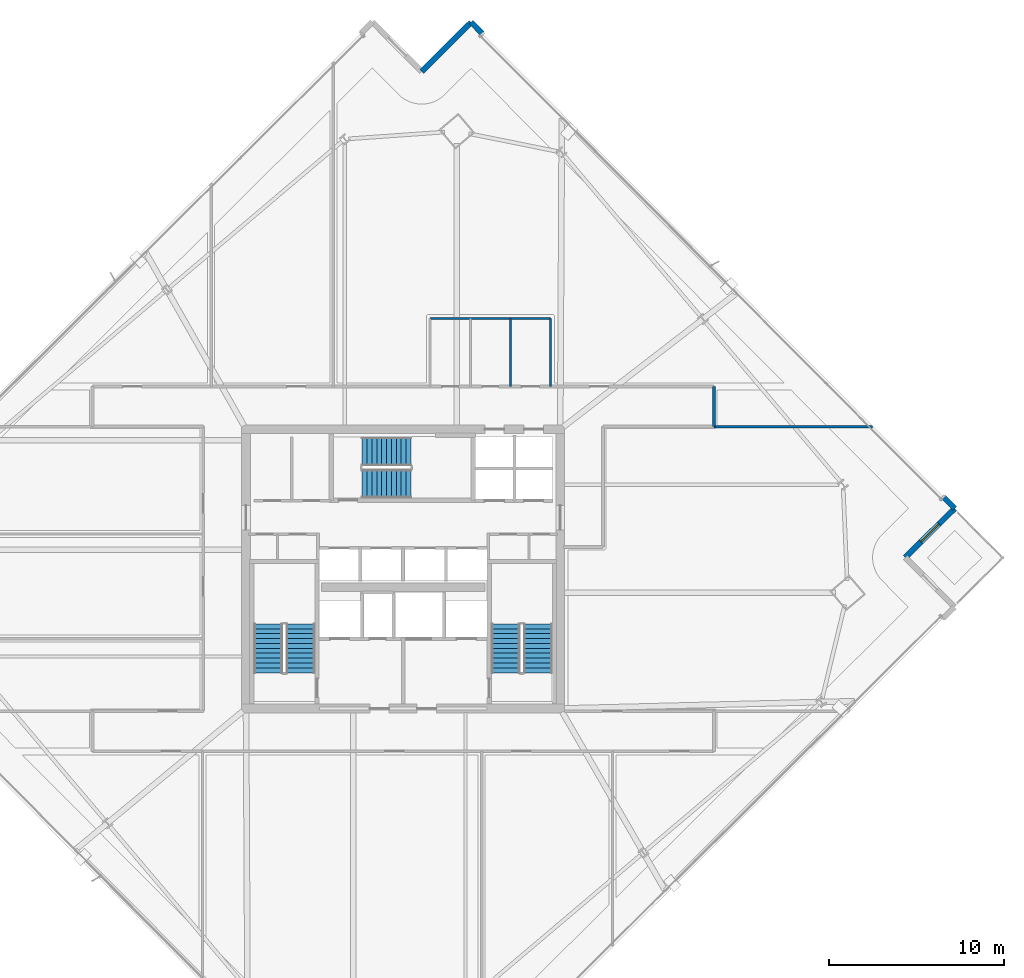
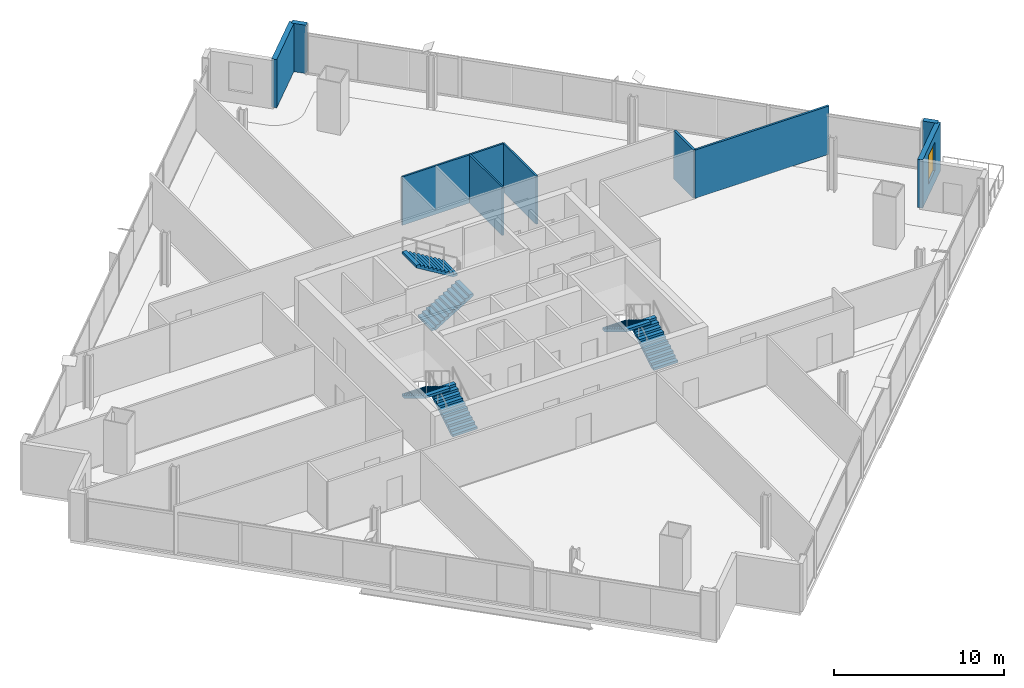
# One storey, part 27 of 32: 9 walls, 6 stair flights, 1 window, 1 opening, 3 elements without a shape of their own.
"""IFC4 building model written with IfcOpenShell, lengths in metres."""

from ifc_helpers import new_model, si_unit, direction, frame, frame_2d, origin, place, context, subcontext, project, spatial, polyline, rectangle, outline, extrude, material, layer, layer_set, type_object, element, fill, aggregate, save


model = new_model("IFC4")

# Units and contexts
model_context = context("Model", 3, precision=1e-05, world=origin(), true_north=direction((0.0, 1.0)))
body_context = subcontext(model_context, "Body", "Model", "MODEL_VIEW")
ifc_project = project(units=[si_unit("LENGTHUNIT", "METRE"), si_unit("AREAUNIT", "SQUARE_METRE"), si_unit("VOLUMEUNIT", "CUBIC_METRE"), si_unit("PLANEANGLEUNIT", "RADIAN"), si_unit("MASSUNIT", "GRAM", prefix="KILO")], contexts=[model_context])

# Site, building, storey
site_placement = place(None, origin())
site = spatial("IfcSite", under=ifc_project, at=site_placement, CompositionType="ELEMENT")
building_placement = place(site_placement, origin())
building = spatial("IfcBuilding", under=site, at=building_placement, Name="Haldenkirk Collegiate Tower", CompositionType="ELEMENT")
storey_placement = place(building_placement, frame((0.0, 0.0, 178.199951171875)))
storey = spatial("IfcBuildingStorey", under=building, at=storey_placement, Name="L44", CompositionType="ELEMENT", Elevation=178.199951171875)

# Wall, opening, window
ifc_material_1 = material(Name="Precast concrete f'c 40 MPa", Category="concrete")
ifc_layer_1 = layer(ifc_material_1, 0.320068359375)
ifc_layer_set_1 = layer_set([ifc_layer_1], Name="Precast concrete f'c 40 MPa")
wall_type_1 = type_object("IfcWallType", Name="WL-EXT-TWR-320", PredefinedType="STANDARD", material=ifc_layer_set_1)
wall_1_placement = place(storey_placement, frame((67.59912109375, 29.470458984375, 0.0), z_axis=(0.0, 0.0, 1.0), x_axis=(-0.708935496427, -0.705273324255, 0.0)))
wall_1 = element("IfcWall", 1, at=wall_1_placement, inside=storey, type_object=wall_type_1, Name="L44 bronze precast notch wall 03", PredefinedType="STANDARD", context=body_context, shape_type="SweptSolid", body=[
    extrude(rectangle(XDim=4.0, YDim=0.320068359375, at=frame_2d((2.0, 0.0))), origin(), (0.0, 0.0, 1.0), 3.4599609375),
])
opening_placement = place(wall_1_placement, frame((1.27490234375, 0.0, 0.85009765625)))
opening = element("IfcOpeningElement", 2, at=opening_placement, cuts=wall_1, Name="Opening W-05", PredefinedType="OPENING", context=body_context, shape_type="SweptSolid", body=[
    extrude(rectangle(XDim=1.449951171875, YDim=2.050048828125, at=frame_2d((0.72509765625, 1.02490234375))), frame((0.0, 0.169921875, 0.0), z_axis=(0.0, -1.0, 0.0), x_axis=(1.0, 0.0, 0.0)), (0.0, 0.0, 1.0), 0.340087890625),
])
ifc_material_2 = material(Name="Low-E argon triple insulating glass", Category="glass")
ifc_layer_2 = layer(ifc_material_2, 0.090087890625)
ifc_layer_set_2 = layer_set([ifc_layer_2], Name="Low-E argon triple insulating glass")
window_type = type_object("IfcWindowType", Name="WN-Z3-1450X2050", PartitioningType="SINGLE_PANEL", PredefinedType="WINDOW", material=ifc_layer_set_2)
window_placement = place(opening_placement, origin())
window = element("IfcWindow", 3, at=window_placement, inside=storey, type_object=window_type, Name="L44 precast-frame academic window 2", OverallHeight=2.050048828125, OverallWidth=1.449951171875, PartitioningType="SINGLE_PANEL", PredefinedType="WINDOW", context=body_context, shape_type="SweptSolid", body=[
    extrude(rectangle(XDim=1.449951171875, YDim=2.050048828125, at=frame_2d((0.72509765625, 1.02490234375))), frame((0.0, 0.030029296875, 0.0), z_axis=(0.0, -1.0, 0.0), x_axis=(1.0, 0.0, 0.0)), (0.0, 0.0, 1.0), 0.06005859375),
])
fill(opening, window)

# Walls
wall_2_placement = place(storey_placement, frame((39.900390625, 57.314697265625, 0.0), z_axis=(0.0, 0.0, 1.0), x_axis=(0.705205601739, -0.709002862671, 0.0)))
element("IfcWall", 4, at=wall_2_placement, inside=storey, type_object=wall_type_1, Name="L44 precast corner pier EL", PredefinedType="STANDARD", context=body_context, shape_type="SweptSolid", body=[
    extrude(rectangle(XDim=0.900146484375, YDim=0.320068359375, at=frame_2d((0.4501953125, 0.0))), origin(), (0.0, 0.0, 1.0), 3.4599609375),
])
wall_3_placement = place(storey_placement, frame((66.964599609375, 30.108642578125, 0.0), z_axis=(0.0, 0.0, 1.0), x_axis=(0.705069217874, -0.709138490005, 0.0)))
element("IfcWall", 5, at=wall_3_placement, inside=storey, type_object=wall_type_1, Name="L44 precast corner pier ER", PredefinedType="STANDARD", context=body_context, shape_type="SweptSolid", body=[
    extrude(rectangle(XDim=0.89990234375, YDim=0.320068359375, at=frame_2d((0.449951171875, 0.0))), origin(), (0.0, 0.0, 1.0), 3.4599609375),
])
wall_4_placement = place(storey_placement, frame((37.064453125, 54.49365234375, 0.0), z_axis=(0.0, 0.0, 1.0), x_axis=(0.708965854503, 0.70524280723, 0.0)))
element("IfcWall", 6, at=wall_4_placement, inside=storey, type_object=wall_type_1, Name="L44 bronze precast notch wall 05", PredefinedType="STANDARD", context=body_context, shape_type="SweptSolid", body=[
    extrude(rectangle(XDim=4.0, YDim=0.320068359375, at=frame_2d((2.0, 0.0))), origin(), (0.0, 0.0, 1.0), 3.4599609375),
])
ifc_material_3 = material(Name="Acoustic fire-rated gypsum partition", Category="concrete")
ifc_layer_3 = layer(ifc_material_3, 0.159912109375)
ifc_layer_set_3 = layer_set([ifc_layer_3], Name="Acoustic fire-rated gypsum partition")
wall_type_2 = type_object("IfcWallType", Name="WL-INT-CORR-160", PredefinedType="PARTITIONING", material=ifc_layer_set_3)
wall_5_placement = place(storey_placement, frame((53.800048828125, 34.14990234375, 0.0), z_axis=(0.0, 0.0, 1.0), x_axis=(0.0, 1.0, 0.0)))
element("IfcWall", 7, at=wall_5_placement, inside=storey, type_object=wall_type_2, Name="L44 interior partition IW-L44-CNR", PredefinedType="PARTITIONING", context=body_context, shape_type="SweptSolid", body=[
    extrude(rectangle(XDim=2.300048828125, YDim=0.159912109375, at=frame_2d((1.14990234375, 0.0))), origin(), (0.0, 0.0, 1.0), 3.4599609375),
])
ifc_layer_4 = layer(ifc_material_3, 0.139892578125)
ifc_layer_set_4 = layer_set([ifc_layer_4], Name="Acoustic fire-rated gypsum partition")
wall_type_3 = type_object("IfcWallType", Name="WL-INT-DIV-140", PredefinedType="PARTITIONING", material=ifc_layer_set_4)
wall_6_placement = place(storey_placement, frame((53.800048828125, 34.14990234375, 0.0), z_axis=(0.0, 0.0, 1.0), x_axis=(1.0, 0.0, 0.0)))
element("IfcWall", 8, at=wall_6_placement, inside=storey, type_object=wall_type_3, Name="L44 interior partition IW-L44-BEN", PredefinedType="PARTITIONING", context=body_context, shape_type="SweptSolid", body=[
    extrude(rectangle(XDim=9.087646484375, YDim=0.139892578125, at=frame_2d((4.5439453125, 0.0))), origin(), (0.0, 0.0, 1.0), 3.4599609375),
])
ifc_layer_5 = layer(ifc_material_3, 0.1201171875)
ifc_layer_set_5 = layer_set([ifc_layer_5], Name="Acoustic fire-rated gypsum partition")
wall_type_4 = type_object("IfcWallType", Name="WL-INT-WET-120", PredefinedType="PARTITIONING", material=ifc_layer_set_5)
for number, where, z_axis, x_axis, name in (
    (9, (42.14990234375, 36.449951171875, 0.0), (0.0, 0.0, 1.0), (0.0, 1.0, 0.0), "L44 interior partition IW-L44-WC2"),
    (10, (44.449951171875, 36.449951171875, 0.0), (0.0, 0.0, 1.0), (0.0, 1.0, 0.0), "L44 interior partition IW-L44-WCE"),
):
    element("IfcWall", number, at=place(storey_placement, frame(where, z_axis=z_axis, x_axis=x_axis)), inside=storey, type_object=wall_type_4, Name=name, PredefinedType="PARTITIONING", context=body_context, shape_type="SweptSolid", body=[
        extrude(rectangle(XDim=3.900146484375, YDim=0.1201171875, at=frame_2d((1.9501953125, 0.0))), origin(), (0.0, 0.0, 1.0), 3.4599609375),
    ])
wall_7_placement = place(storey_placement, frame((37.550048828125, 40.35009765625, 0.0), z_axis=(0.0, 0.0, 1.0), x_axis=(1.0, 0.0, 0.0)))
element("IfcWall", 11, at=wall_7_placement, inside=storey, type_object=wall_type_4, Name="L44 interior partition IW-L44-WCB", PredefinedType="PARTITIONING", context=body_context, shape_type="SweptSolid", body=[
    extrude(rectangle(XDim=6.89990234375, YDim=0.1201171875, at=frame_2d((3.449951171875, 0.0))), origin(), (0.0, 0.0, 1.0), 3.4599609375),
])

# Stair, stair flights
ifc_material_4 = material(Name="Concrete f'c 40 MPa", Category="concrete")
stair_type = type_object("IfcStairType", Name="STR-DOGLEG-1650", PredefinedType="HALF_TURN_STAIR", material=ifc_material_4)
stair_1_placement = place(storey_placement, origin())
stair_1 = element("IfcStair", 12, at=stair_1_placement, inside=storey, type_object=stair_type, Name="L44 Core Exit Stair ST-1", PredefinedType="HALF_TURN_STAIR")
stair_flight_type = type_object("IfcStairFlightType", Name="STF-FLIGHT-1650", PredefinedType="STRAIGHT", material=ifc_material_4)
stair_flight_1_placement = place(storey_placement, frame((30.125, 20.050048828125, 0.0), z_axis=(0.0, 0.0, 1.0), x_axis=(0.0, 1.0, 0.0)))
stair_flight_1 = element("IfcStairFlight", 13, at=stair_flight_1_placement, type_object=stair_flight_type, Name="ST-1 flight 1", NumberOfRisers=11, NumberOfTreads=10, PredefinedType="STRAIGHT", RiserHeight=0.170454545, TreadLength=0.28, context=body_context, shape_type="SweptSolid", body=[
    extrude(outline(polyline([(0.0, 0.0), (0.0, 0.17041015625), (0.280029296875, 0.17041015625), (0.280029296875, 0.3408203125), (0.56005859375, 0.3408203125), (0.56005859375, 0.511474609375), (0.840087890625, 0.511474609375), (0.840087890625, 0.681884765625), (1.1201171875, 0.681884765625), (1.1201171875, 0.852294921875), (1.39990234375, 0.852294921875), (1.39990234375, 1.022705078125), (1.679931640625, 1.022705078125), (1.679931640625, 1.193115234375), (1.9599609375, 1.193115234375), (1.9599609375, 1.363525390625), (2.239990234375, 1.363525390625), (2.239990234375, 1.5341796875), (2.52001953125, 1.5341796875), (2.52001953125, 1.70458984375), (2.800048828125, 1.70458984375), (2.800048828125, 1.875), (2.800048828125, 1.529052734375), (0.288330078125, 0.0), (0.0, 0.0)])), frame((0.0, 0.824951171875, 0.0), z_axis=(0.0, -1.0, 0.0), x_axis=(1.0, 0.0, 0.0)), (0.0, 0.0, 1.0), 1.64990234375),
])
stair_flight_2_placement = place(storey_placement, frame((28.27490234375, 22.85009765625, 1.875), z_axis=(0.0, 0.0, 1.0), x_axis=(0.0, -1.0, 0.0)))
stair_flight_2 = element("IfcStairFlight", 14, at=stair_flight_2_placement, type_object=stair_flight_type, Name="ST-1 flight 2", NumberOfRisers=11, NumberOfTreads=10, PredefinedType="STRAIGHT", RiserHeight=0.170454545, TreadLength=0.28, context=body_context, shape_type="SweptSolid", body=[
    extrude(outline(polyline([(0.0, 0.0), (0.0, 0.17041015625), (0.280029296875, 0.17041015625), (0.280029296875, 0.3408203125), (0.56005859375, 0.3408203125), (0.56005859375, 0.511474609375), (0.840087890625, 0.511474609375), (0.840087890625, 0.681884765625), (1.1201171875, 0.681884765625), (1.1201171875, 0.852294921875), (1.39990234375, 0.852294921875), (1.39990234375, 1.022705078125), (1.679931640625, 1.022705078125), (1.679931640625, 1.193115234375), (1.9599609375, 1.193115234375), (1.9599609375, 1.363525390625), (2.239990234375, 1.363525390625), (2.239990234375, 1.5341796875), (2.52001953125, 1.5341796875), (2.52001953125, 1.70458984375), (2.800048828125, 1.70458984375), (2.800048828125, 1.875), (2.800048828125, 1.529052734375), (0.288330078125, 0.0), (0.0, 0.0)])), frame((0.0, 0.824951171875, 0.0), z_axis=(0.0, -1.0, 0.0), x_axis=(1.0, 0.0, 0.0)), (0.0, 0.0, 1.0), 1.64990234375),
])
aggregate(stair_1, [stair_flight_1, stair_flight_2])

stair_2_placement = place(storey_placement, origin())
stair_2 = element("IfcStair", 15, at=stair_2_placement, inside=storey, type_object=stair_type, Name="L44 Core Exit Stair ST-2", PredefinedType="HALF_TURN_STAIR")
stair_flight_3_placement = place(storey_placement, frame((43.72509765625, 20.050048828125, 0.0), z_axis=(0.0, 0.0, 1.0), x_axis=(0.0, 1.0, 0.0)))
stair_flight_3 = element("IfcStairFlight", 16, at=stair_flight_3_placement, type_object=stair_flight_type, Name="ST-2 flight 1", NumberOfRisers=11, NumberOfTreads=10, PredefinedType="STRAIGHT", RiserHeight=0.170454545, TreadLength=0.28, context=body_context, shape_type="SweptSolid", body=[
    extrude(outline(polyline([(0.0, 0.0), (0.0, 0.17041015625), (0.280029296875, 0.17041015625), (0.280029296875, 0.3408203125), (0.56005859375, 0.3408203125), (0.56005859375, 0.511474609375), (0.840087890625, 0.511474609375), (0.840087890625, 0.681884765625), (1.1201171875, 0.681884765625), (1.1201171875, 0.852294921875), (1.39990234375, 0.852294921875), (1.39990234375, 1.022705078125), (1.679931640625, 1.022705078125), (1.679931640625, 1.193115234375), (1.9599609375, 1.193115234375), (1.9599609375, 1.363525390625), (2.239990234375, 1.363525390625), (2.239990234375, 1.5341796875), (2.52001953125, 1.5341796875), (2.52001953125, 1.70458984375), (2.800048828125, 1.70458984375), (2.800048828125, 1.875), (2.800048828125, 1.529052734375), (0.288330078125, 0.0), (0.0, 0.0)])), frame((0.0, 0.824951171875, 0.0), z_axis=(0.0, -1.0, 0.0), x_axis=(1.0, 0.0, 0.0)), (0.0, 0.0, 1.0), 1.64990234375),
])
stair_flight_4_placement = place(storey_placement, frame((41.875, 22.85009765625, 1.875), z_axis=(0.0, 0.0, 1.0), x_axis=(0.0, -1.0, 0.0)))
stair_flight_4 = element("IfcStairFlight", 17, at=stair_flight_4_placement, type_object=stair_flight_type, Name="ST-2 flight 2", NumberOfRisers=11, NumberOfTreads=10, PredefinedType="STRAIGHT", RiserHeight=0.170454545, TreadLength=0.28, context=body_context, shape_type="SweptSolid", body=[
    extrude(outline(polyline([(0.0, 0.0), (0.0, 0.17041015625), (0.280029296875, 0.17041015625), (0.280029296875, 0.3408203125), (0.56005859375, 0.3408203125), (0.56005859375, 0.511474609375), (0.840087890625, 0.511474609375), (0.840087890625, 0.681884765625), (1.1201171875, 0.681884765625), (1.1201171875, 0.852294921875), (1.39990234375, 0.852294921875), (1.39990234375, 1.022705078125), (1.679931640625, 1.022705078125), (1.679931640625, 1.193115234375), (1.9599609375, 1.193115234375), (1.9599609375, 1.363525390625), (2.239990234375, 1.363525390625), (2.239990234375, 1.5341796875), (2.52001953125, 1.5341796875), (2.52001953125, 1.70458984375), (2.800048828125, 1.70458984375), (2.800048828125, 1.875), (2.800048828125, 1.529052734375), (0.288330078125, 0.0), (0.0, 0.0)])), frame((0.0, 0.824951171875, 0.0), z_axis=(0.0, -1.0, 0.0), x_axis=(1.0, 0.0, 0.0)), (0.0, 0.0, 1.0), 1.64990234375),
])
aggregate(stair_2, [stair_flight_3, stair_flight_4])

stair_3_placement = place(storey_placement, origin())
stair_3 = element("IfcStair", 18, at=stair_3_placement, inside=storey, type_object=stair_type, Name="L44 Core Exit Stair ST-3", PredefinedType="HALF_TURN_STAIR")
stair_flight_5_placement = place(storey_placement, frame((33.64990234375, 30.875, 0.0), z_axis=(0.0, 0.0, 1.0), x_axis=(1.0, 0.0, 0.0)))
stair_flight_5 = element("IfcStairFlight", 19, at=stair_flight_5_placement, type_object=stair_flight_type, Name="ST-3 flight 1", NumberOfRisers=11, NumberOfTreads=10, PredefinedType="STRAIGHT", RiserHeight=0.170454545, TreadLength=0.28, context=body_context, shape_type="SweptSolid", body=[
    extrude(outline(polyline([(0.0, 0.0), (0.0, 0.17041015625), (0.280029296875, 0.17041015625), (0.280029296875, 0.3408203125), (0.56005859375, 0.3408203125), (0.56005859375, 0.511474609375), (0.840087890625, 0.511474609375), (0.840087890625, 0.681884765625), (1.1201171875, 0.681884765625), (1.1201171875, 0.852294921875), (1.39990234375, 0.852294921875), (1.39990234375, 1.022705078125), (1.679931640625, 1.022705078125), (1.679931640625, 1.193115234375), (1.9599609375, 1.193115234375), (1.9599609375, 1.363525390625), (2.239990234375, 1.363525390625), (2.239990234375, 1.5341796875), (2.52001953125, 1.5341796875), (2.52001953125, 1.70458984375), (2.800048828125, 1.70458984375), (2.800048828125, 1.875), (2.800048828125, 1.529052734375), (0.288330078125, 0.0), (0.0, 0.0)])), frame((0.0, 0.824951171875, 0.0), z_axis=(0.0, -1.0, 0.0), x_axis=(1.0, 0.0, 0.0)), (0.0, 0.0, 1.0), 1.64990234375),
])
stair_flight_6_placement = place(storey_placement, frame((36.449951171875, 32.72509765625, 1.875), z_axis=(0.0, 0.0, 1.0), x_axis=(-1.0, 0.0, 0.0)))
stair_flight_6 = element("IfcStairFlight", 20, at=stair_flight_6_placement, type_object=stair_flight_type, Name="ST-3 flight 2", NumberOfRisers=11, NumberOfTreads=10, PredefinedType="STRAIGHT", RiserHeight=0.170454545, TreadLength=0.28, context=body_context, shape_type="SweptSolid", body=[
    extrude(outline(polyline([(0.0, 0.0), (0.0, 0.17041015625), (0.280029296875, 0.17041015625), (0.280029296875, 0.3408203125), (0.56005859375, 0.3408203125), (0.56005859375, 0.511474609375), (0.840087890625, 0.511474609375), (0.840087890625, 0.681884765625), (1.1201171875, 0.681884765625), (1.1201171875, 0.852294921875), (1.39990234375, 0.852294921875), (1.39990234375, 1.022705078125), (1.679931640625, 1.022705078125), (1.679931640625, 1.193115234375), (1.9599609375, 1.193115234375), (1.9599609375, 1.363525390625), (2.239990234375, 1.363525390625), (2.239990234375, 1.5341796875), (2.52001953125, 1.5341796875), (2.52001953125, 1.70458984375), (2.800048828125, 1.70458984375), (2.800048828125, 1.875), (2.800048828125, 1.529052734375), (0.288330078125, 0.0), (0.0, 0.0)])), frame((0.0, 0.824951171875, 0.0), z_axis=(0.0, -1.0, 0.0), x_axis=(1.0, 0.0, 0.0)), (0.0, 0.0, 1.0), 1.64990234375),
])
aggregate(stair_3, [stair_flight_5, stair_flight_6])

save(model, "model.ifc")
